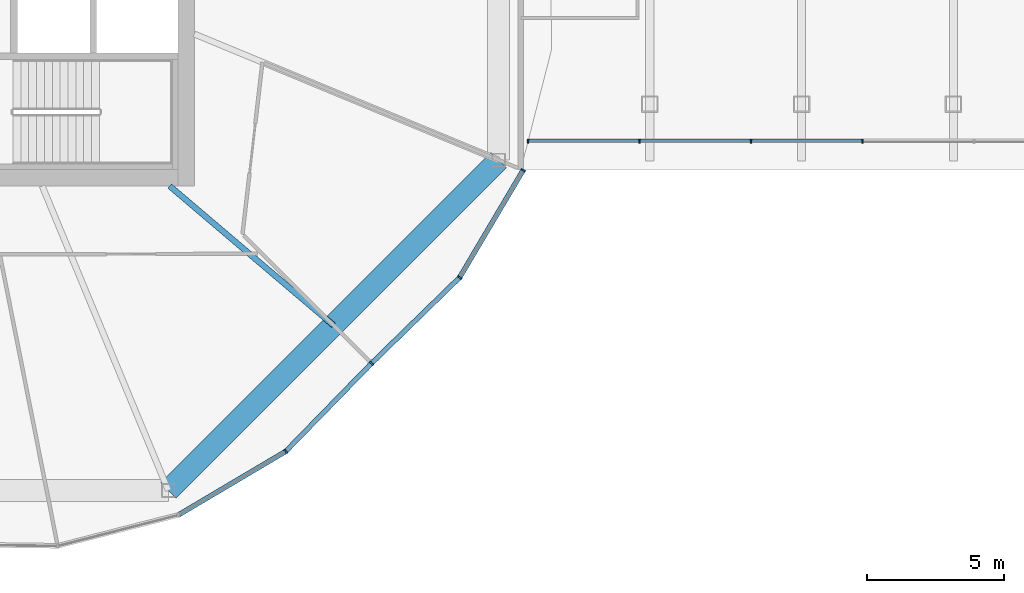
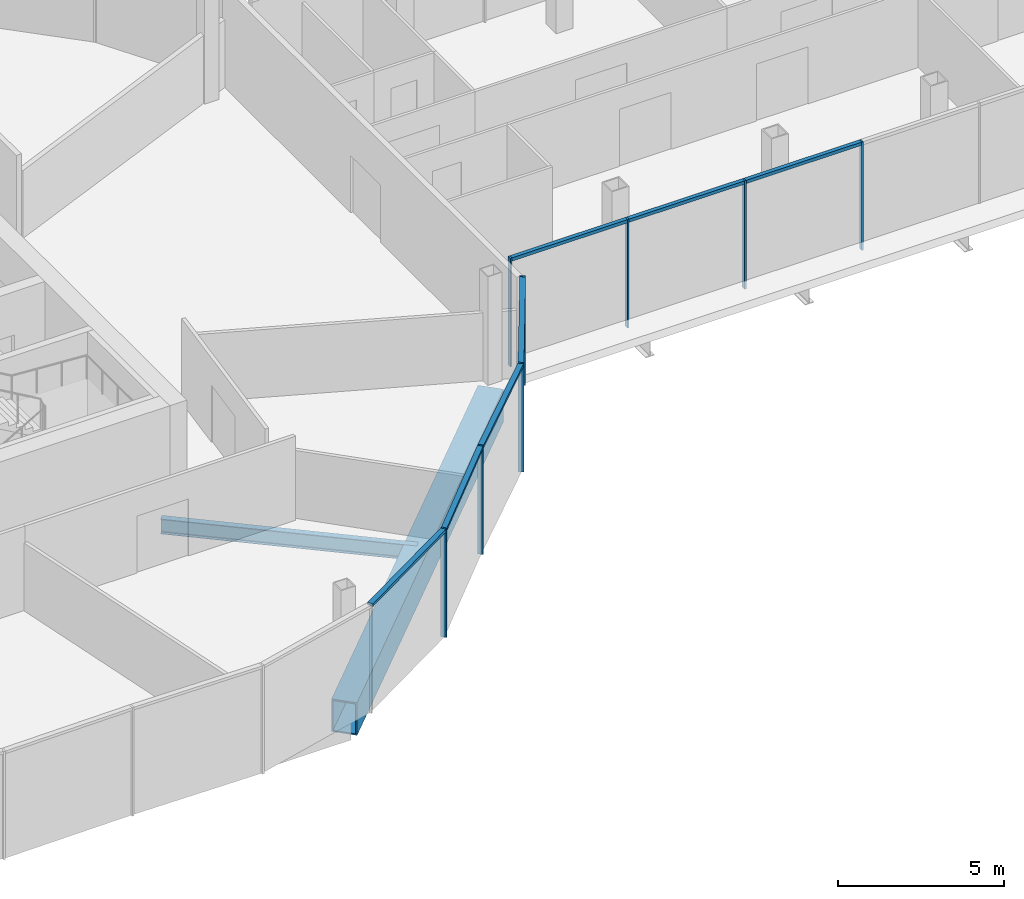
# One storey, part 6 of 26: 15 members, 2 beams, 3 elements without a shape of their own.
"""IFC4 building model written with IfcOpenShell, lengths in metres."""

from ifc_helpers import new_model, si_unit, direction, frame, origin, origin_2d, place, context, subcontext, project, spatial, rectangle, hollow_rectangle, i_section, extrude, material, material_profile, profile_set, type_object, element, aggregate, save


model = new_model("IFC4")

# Units and contexts
model_context = context("Model", 3, precision=1e-05, world=origin(), true_north=direction((0.0, 1.0)))
body_context = subcontext(model_context, "Body", "Model", "MODEL_VIEW")
ifc_project = project(units=[si_unit("LENGTHUNIT", "METRE"), si_unit("AREAUNIT", "SQUARE_METRE"), si_unit("VOLUMEUNIT", "CUBIC_METRE"), si_unit("PLANEANGLEUNIT", "RADIAN"), si_unit("MASSUNIT", "GRAM", prefix="KILO")], contexts=[model_context])

# Site, building, storey
site_placement = place(None, origin())
site = spatial("IfcSite", under=ifc_project, at=site_placement, CompositionType="ELEMENT")
building_placement = place(site_placement, origin())
building = spatial("IfcBuilding", under=site, at=building_placement, Name="Ogive Gate Towers", CompositionType="ELEMENT")
storey_placement = place(building_placement, frame((0.0, 0.0, 148.800048828125)))
storey = spatial("IfcBuildingStorey", under=building, at=storey_placement, Name="L35", CompositionType="ELEMENT", Elevation=148.800048828125)

# Beam
ifc_material_1 = material(Name="Steel SM460", Category="steel")
ifc_material_profile_1 = material_profile(ifc_material_1, hollow_rectangle(XDim=0.800048828125, YDim=1.199951171875, WallThickness=0.050048828125, at=origin_2d()), Name="BX 1200x800x50")
ifc_profile_set_1 = profile_set([ifc_material_profile_1], Name="Steel SM460")
beam_type_1 = type_object("IfcBeamType", Name="Edge girder BX 1200x800x50", PredefinedType="BEAM", material=ifc_profile_set_1)
beam_1_placement = place(storey_placement, frame((-27.450927734375, -20.639404296875, -0.900146484375), z_axis=(0.707106781187, 0.707106781187, 0.0), x_axis=(-0.707106781187, 0.707106781187, 0.0)))
element("IfcBeam", 1, at=beam_1_placement, inside=storey, type_object=beam_type_1, Name="T1/L35/SBM019", PredefinedType="BEAM", context=body_context, shape_type="SweptSolid", body=[
    extrude(hollow_rectangle(XDim=0.800048828125, YDim=1.199951171875, WallThickness=0.050048828125, at=origin_2d()), origin(), (0.0, 0.0, 1.0), 17.098388671875),
])

# Curtain wall, members
ifc_material_2 = material(Name="Pale metal aluminium", Category="aluminium")
curtain_wall_type_1 = type_object("IfcCurtainWallType", Name="Gate block facade", PredefinedType="NOTDEFINED", material=ifc_material_2)
curtain_wall_1_placement = place(storey_placement, origin())
curtain_wall_1 = element("IfcCurtainWall", 2, at=curtain_wall_1_placement, inside=storey, type_object=curtain_wall_type_1, Name="CW3 BR ECW01", PredefinedType="NOTDEFINED")
ifc_material_profile_2 = material_profile(ifc_material_2, rectangle(XDim=0.139892578125, YDim=0.06005859375, at=origin_2d()), Name="60 x 140 aluminium box")
ifc_profile_set_2 = profile_set([ifc_material_profile_2], Name="Pale metal aluminium")
member_type_1 = type_object("IfcMemberType", Name="Gate block facade mullion 60 x 140", PredefinedType="MULLION", material=ifc_profile_set_2)
member_1_placement = place(storey_placement, frame((-14.29150390625, -7.85595703125, -0.300048828125), z_axis=(0.0, 0.0, 1.0), x_axis=(0.0, -1.0, 0.0)))
member_1 = element("IfcMember", 3, at=member_1_placement, type_object=member_type_1, Name="CW3 mullion", PredefinedType="MULLION", context=body_context, shape_type="SweptSolid", body=[
    extrude(rectangle(XDim=0.139892578125, YDim=0.06005859375, at=origin_2d()), origin(), (0.0, 0.0, 1.0), 4.0),
])
member_2_placement = place(storey_placement, frame((-10.208251953125, -7.85595703125, -0.300048828125), z_axis=(0.0, 0.0, 1.0), x_axis=(0.0, -1.0, 0.0)))
member_2 = element("IfcMember", 4, at=member_2_placement, type_object=member_type_1, Name="CW3 mullion", PredefinedType="MULLION", context=body_context, shape_type="SweptSolid", body=[
    extrude(rectangle(XDim=0.139892578125, YDim=0.06005859375, at=origin_2d()), origin(), (0.0, 0.0, 1.0), 4.0),
])
member_3_placement = place(storey_placement, frame((-6.125, -7.85595703125, -0.300048828125), z_axis=(0.0, 0.0, 1.0), x_axis=(0.0, -1.0, 0.0)))
member_3 = element("IfcMember", 5, at=member_3_placement, type_object=member_type_1, Name="CW3 mullion", PredefinedType="MULLION", context=body_context, shape_type="SweptSolid", body=[
    extrude(rectangle(XDim=0.139892578125, YDim=0.06005859375, at=origin_2d()), origin(), (0.0, 0.0, 1.0), 4.0),
])
member_4_placement = place(storey_placement, frame((-2.04150390625, -7.85595703125, -0.300048828125), z_axis=(0.0, 0.0, 1.0), x_axis=(0.0, -1.0, 0.0)))
member_4 = element("IfcMember", 6, at=member_4_placement, type_object=member_type_1, Name="CW3 mullion", PredefinedType="MULLION", context=body_context, shape_type="SweptSolid", body=[
    extrude(rectangle(XDim=0.139892578125, YDim=0.06005859375, at=origin_2d()), origin(), (0.0, 0.0, 1.0), 4.0),
])
ifc_material_profile_3 = material_profile(ifc_material_2, rectangle(XDim=0.139892578125, YDim=0.1201171875, at=origin_2d()), Name="120 x 140 aluminium box")
ifc_profile_set_3 = profile_set([ifc_material_profile_3], Name="Pale metal aluminium")
member_type_2 = type_object("IfcMemberType", Name="Gate block facade transom 120 x 140", PredefinedType="USERDEFINED", material=ifc_profile_set_3)
member_5_placement = place(storey_placement, frame((-14.261474609375, -7.85595703125, 3.639892578125), z_axis=(1.0, 0.0, 0.0), x_axis=(0.0, 1.0, 0.0)))
member_5 = element("IfcMember", 7, at=member_5_placement, type_object=member_type_2, Name="CW3 transom", ObjectType="TRANSOM", PredefinedType="USERDEFINED", context=body_context, shape_type="SweptSolid", body=[
    extrude(rectangle(XDim=0.139892578125, YDim=0.1201171875, at=origin_2d()), origin(), (0.0, 0.0, 1.0), 4.023193359375),
])
member_6_placement = place(storey_placement, frame((-10.17822265625, -7.85595703125, 3.639892578125), z_axis=(1.0, 0.0, 0.0), x_axis=(0.0, 1.0, 0.0)))
member_6 = element("IfcMember", 8, at=member_6_placement, type_object=member_type_2, Name="CW3 transom", ObjectType="TRANSOM", PredefinedType="USERDEFINED", context=body_context, shape_type="SweptSolid", body=[
    extrude(rectangle(XDim=0.139892578125, YDim=0.1201171875, at=origin_2d()), origin(), (0.0, 0.0, 1.0), 4.0234375),
])
member_7_placement = place(storey_placement, frame((-6.094970703125, -7.85595703125, 3.639892578125), z_axis=(1.0, 0.0, 0.0), x_axis=(0.0, 1.0, 0.0)))
member_7 = element("IfcMember", 9, at=member_7_placement, type_object=member_type_2, Name="CW3 transom", ObjectType="TRANSOM", PredefinedType="USERDEFINED", context=body_context, shape_type="SweptSolid", body=[
    extrude(rectangle(XDim=0.139892578125, YDim=0.1201171875, at=origin_2d()), origin(), (0.0, 0.0, 1.0), 4.0234375),
])
aggregate(curtain_wall_1, [member_1, member_2, member_5, member_3, member_6, member_4, member_7])

# Beam
ifc_material_3 = material(Name="Steel SM355", Category="steel")
ifc_material_profile_4 = material_profile(ifc_material_3, i_section(OverallWidth=0.2099609375, OverallDepth=0.550048828125, WebThickness=0.010986328125, FlangeThickness=0.01708984375, FilletRadius=0.02392578125, at=origin_2d()), Name="IPE 550")
ifc_profile_set_4 = profile_set([ifc_material_profile_4], Name="Steel SM355")
beam_type_2 = type_object("IfcBeamType", Name="Radial floor beam IPE 550", PredefinedType="BEAM", material=ifc_profile_set_4)
beam_2_placement = place(storey_placement, frame((-27.39990234375, -9.5, -0.574951171875), z_axis=(0.761988324045, -0.647590761222, 0.0), x_axis=(0.647590761222, 0.761988324045, 0.0)))
element("IfcBeam", 10, at=beam_2_placement, inside=storey, type_object=beam_type_2, Name="T1/L35/SBM006", PredefinedType="BEAM", context=body_context, shape_type="SweptSolid", body=[
    extrude(i_section(OverallWidth=0.2099609375, OverallDepth=0.550048828125, WebThickness=0.010986328125, FlangeThickness=0.01708984375, FilletRadius=0.02392578125, at=origin_2d()), origin(), (0.0, 0.0, 1.0), 7.866455078125),
])

# Curtain wall, members
curtain_wall_type_2 = type_object("IfcCurtainWallType", Name="Tower unitised wall, high zone", PredefinedType="NOTDEFINED", material=ifc_material_2)
curtain_wall_2_placement = place(storey_placement, origin())
curtain_wall_2 = element("IfcCurtainWall", 11, at=curtain_wall_2_placement, inside=storey, type_object=curtain_wall_type_2, Name="CW2 T1 ECW07", PredefinedType="NOTDEFINED")
ifc_material_profile_5 = material_profile(ifc_material_2, rectangle(XDim=0.179931640625, YDim=0.06005859375, at=origin_2d()), Name="60 x 180 aluminium box")
ifc_profile_set_5 = profile_set([ifc_material_profile_5], Name="Pale metal aluminium")
member_type_3 = type_object("IfcMemberType", Name="Tower unitised wall, high zone mullion 60 x 180", PredefinedType="MULLION", material=ifc_profile_set_5)
member_8_placement = place(storey_placement, frame((-23.154541015625, -19.2119140625, -0.300048828125), z_axis=(0.0, 0.0, 1.0), x_axis=(0.618230074168, -0.78599718536, 0.0)))
member_8 = element("IfcMember", 12, at=member_8_placement, type_object=member_type_3, Name="CW2 mullion", PredefinedType="MULLION", context=body_context, shape_type="SweptSolid", body=[
    extrude(rectangle(XDim=0.179931640625, YDim=0.06005859375, at=origin_2d()), origin(), (0.0, 0.0, 1.0), 4.0),
])
member_9_placement = place(storey_placement, frame((-20.012451171875, -15.98779296875, -0.300048828125), z_axis=(0.0, 0.0, 1.0), x_axis=(0.716119237764, -0.697977963337, 0.0)))
member_9 = element("IfcMember", 13, at=member_9_placement, type_object=member_type_3, Name="CW2 mullion", PredefinedType="MULLION", context=body_context, shape_type="SweptSolid", body=[
    extrude(rectangle(XDim=0.179931640625, YDim=0.06005859375, at=origin_2d()), origin(), (0.0, 0.0, 1.0), 4.0),
])

curtain_wall_3_placement = place(storey_placement, origin())
curtain_wall_3 = element("IfcCurtainWall", 14, at=curtain_wall_3_placement, inside=storey, type_object=curtain_wall_type_2, Name="CW2 T1 ECW08", PredefinedType="NOTDEFINED")
member_10_placement = place(storey_placement, frame((-16.7880859375, -12.845458984375, -0.300048828125), z_axis=(0.0, 0.0, 1.0), x_axis=(0.78599718536, -0.618230074168, 0.0)))
member_10 = element("IfcMember", 15, at=member_10_placement, type_object=member_type_3, Name="CW2 mullion", PredefinedType="MULLION", context=body_context, shape_type="SweptSolid", body=[
    extrude(rectangle(XDim=0.179931640625, YDim=0.06005859375, at=origin_2d()), origin(), (0.0, 0.0, 1.0), 4.0),
])
member_11_placement = place(storey_placement, frame((-14.462890625, -8.91943359375, -0.300048828125), z_axis=(0.0, 0.0, 1.0), x_axis=(0.860386439326, -0.509642202947, 0.0)))
member_11 = element("IfcMember", 16, at=member_11_placement, type_object=member_type_3, Name="CW2 mullion", PredefinedType="MULLION", context=body_context, shape_type="SweptSolid", body=[
    extrude(rectangle(XDim=0.179931640625, YDim=0.06005859375, at=origin_2d()), origin(), (0.0, 0.0, 1.0), 4.0),
])

# Member
ifc_material_profile_6 = material_profile(ifc_material_2, rectangle(XDim=0.179931640625, YDim=0.10009765625, at=origin_2d()), Name="100 x 180 aluminium box")
ifc_profile_set_6 = profile_set([ifc_material_profile_6], Name="Pale metal aluminium")
member_type_4 = type_object("IfcMemberType", Name="Tower unitised wall, high zone transom 100 x 180", PredefinedType="USERDEFINED", material=ifc_profile_set_6)
member_12_placement = place(storey_placement, frame((-27.0546875, -21.52197265625, 3.64990234375), z_axis=(0.860382203053, 0.509649354625, 0.0), x_axis=(-0.509649354625, 0.860382203053, 0.0)))
member_12 = element("IfcMember", 17, at=member_12_placement, type_object=member_type_4, Name="CW2 transom", ObjectType="TRANSOM", PredefinedType="USERDEFINED", context=body_context, shape_type="SweptSolid", body=[
    extrude(rectangle(XDim=0.179931640625, YDim=0.10009765625, at=origin_2d()), origin(), (0.0, 0.0, 1.0), 4.50439453125),
])

member_13_placement = place(storey_placement, frame((-23.134521484375, -19.191162109375, 3.64990234375), z_axis=(0.697982523024, 0.716114793558, 0.0), x_axis=(-0.716114793558, 0.697982523024, 0.0)))
member_13 = element("IfcMember", 18, at=member_13_placement, type_object=member_type_4, Name="CW2 transom", ObjectType="TRANSOM", PredefinedType="USERDEFINED", context=body_context, shape_type="SweptSolid", body=[
    extrude(rectangle(XDim=0.179931640625, YDim=0.10009765625, at=origin_2d()), origin(), (0.0, 0.0, 1.0), 4.443359375),
])

aggregate(curtain_wall_2, [member_8, member_12, member_9, member_13])

member_14_placement = place(storey_placement, frame((-19.99072265625, -15.966796875, 3.64990234375), z_axis=(0.716114793558, 0.697982523024, 0.0), x_axis=(-0.697982523024, 0.716114793558, 0.0)))
member_14 = element("IfcMember", 19, at=member_14_placement, type_object=member_type_4, Name="CW2 transom", ObjectType="TRANSOM", PredefinedType="USERDEFINED", context=body_context, shape_type="SweptSolid", body=[
    extrude(rectangle(XDim=0.179931640625, YDim=0.10009765625, at=origin_2d()), origin(), (0.0, 0.0, 1.0), 4.443359375),
])

member_15_placement = place(storey_placement, frame((-16.773681640625, -12.82080078125, 3.64990234375), z_axis=(0.509649354625, 0.860382203053, 0.0), x_axis=(-0.860382203053, 0.509649354625, 0.0)))
member_15 = element("IfcMember", 20, at=member_15_placement, type_object=member_type_4, Name="CW2 transom", ObjectType="TRANSOM", PredefinedType="USERDEFINED", context=body_context, shape_type="SweptSolid", body=[
    extrude(rectangle(XDim=0.179931640625, YDim=0.10009765625, at=origin_2d()), origin(), (0.0, 0.0, 1.0), 4.50439453125),
])

aggregate(curtain_wall_3, [member_10, member_14, member_11, member_15])

save(model, "model.ifc")
